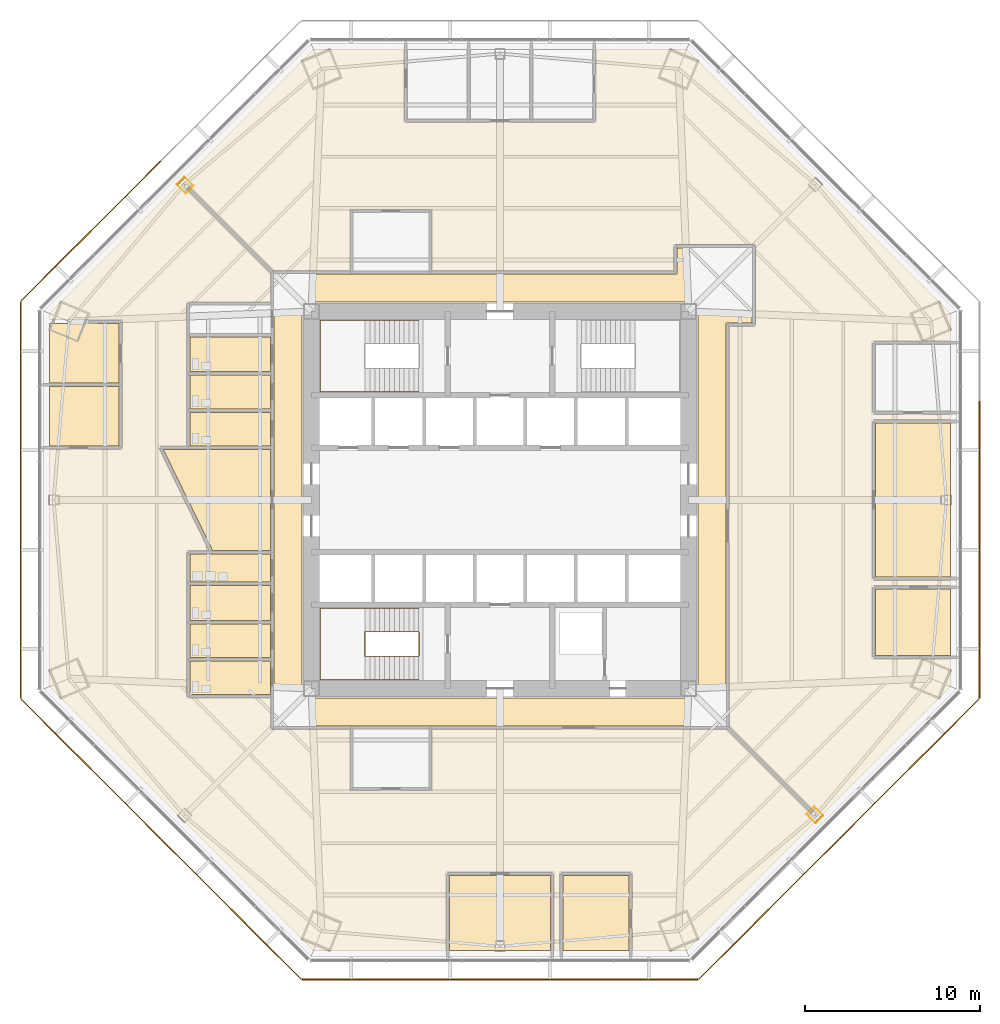
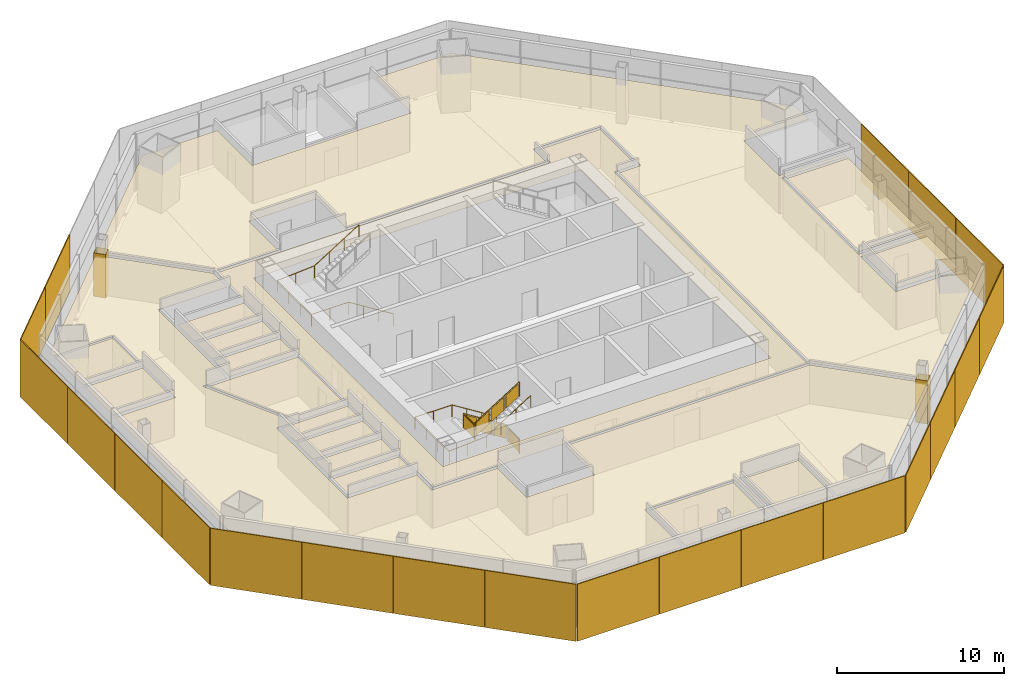
# One storey, part 13 of 15: 21 shading devices, 19 coverings, 3 railings.
"""IFC4 building model written with IfcOpenShell, lengths in metres."""

from ifc_helpers import new_model, si_unit, direction, frame, origin, origin_2d, place, context, subcontext, project, spatial, polyline, rectangle, circle, outline, extrude, source, transform, mapped, material, layer, layer_set, type_object, type_shapes, element, save


model = new_model("IFC4")

# Units and contexts
model_context = context("Model", 3, precision=1e-05, world=origin(), true_north=direction((0.0, 1.0)))
body_context = subcontext(model_context, "Body", "Model", "MODEL_VIEW")
ifc_project = project(units=[si_unit("LENGTHUNIT", "METRE"), si_unit("AREAUNIT", "SQUARE_METRE"), si_unit("VOLUMEUNIT", "CUBIC_METRE"), si_unit("PLANEANGLEUNIT", "RADIAN"), si_unit("MASSUNIT", "GRAM", prefix="KILO")], contexts=[model_context])

# Site, building, storey
site_placement = place(None, origin())
site = spatial("IfcSite", under=ifc_project, at=site_placement, CompositionType="ELEMENT")
building_placement = place(site_placement, origin())
building = spatial("IfcBuilding", under=site, at=building_placement, Name="Mashrafa Tower", CompositionType="ELEMENT")
storey_placement = place(building_placement, frame((0.0, 0.0, 58.199951171875)))
storey = spatial("IfcBuildingStorey", under=building, at=storey_placement, Name="L12", CompositionType="ELEMENT", Elevation=58.199951171875)

# Coverings
ifc_material_1 = material(Name="Gypsum board")
ifc_layer_1 = layer(ifc_material_1, 0.014892578125)
ifc_layer_set_1 = layer_set([ifc_layer_1], Name="Column casing plasterboard 15")
covering_type_1 = type_object("IfcCoveringType", Name="Column casing plasterboard 15", PredefinedType="CLADDING", material=ifc_layer_set_1)
covering_1_placement = place(storey_placement, origin())
element("IfcCovering", 1, at=covering_1_placement, inside=storey, type_object=covering_type_1, Name="Column casing L12-001", PredefinedType="CLADDING", context=body_context, shape_type="SweptSolid", body=[
    extrude(outline(polyline([(-18.525146484375, 18.07958984375), (-18.07958984375, 18.525146484375), (-17.550048828125, 17.995361328125), (-17.995361328125, 17.550048828125), (-18.525146484375, 18.07958984375)]), holes=[polyline([(-17.5712890625, 17.995361328125), (-18.07958984375, 18.50390625), (-18.50390625, 18.07958984375), (-17.995361328125, 17.5712890625), (-17.5712890625, 17.995361328125)])]), origin(), (0.0, 0.0, 1.0), 3.16650390625),
])
covering_2_placement = place(storey_placement, origin())
element("IfcCovering", 2, at=covering_2_placement, inside=storey, type_object=covering_type_1, Name="Column casing L12-002", PredefinedType="CLADDING", context=body_context, shape_type="SweptSolid", body=[
    extrude(outline(polyline([(17.550048828125, -17.995361328125), (17.995361328125, -17.550048828125), (18.525146484375, -18.07958984375), (18.07958984375, -18.525146484375), (17.550048828125, -17.995361328125)]), holes=[polyline([(18.50390625, -18.07958984375), (17.995361328125, -17.5712890625), (17.5712890625, -17.995361328125), (18.07958984375, -18.50390625), (18.50390625, -18.07958984375)])]), origin(), (0.0, 0.0, 1.0), 3.16650390625),
])

# Railings
ifc_material_2 = material(Name="Steel guard with glass infill", Category="steel")
railing_type_1 = type_object("IfcRailingType", Name="Stair guard 1100", PredefinedType="GUARDRAIL", material=ifc_material_2)
railing_1_placement = place(storey_placement, frame((-4.64990234375, -8.949951171875, 0.0)))
element("IfcRailing", 3, at=railing_1_placement, inside=storey, type_object=railing_type_1, Name="Stair S3 guard L12", PredefinedType="GUARDRAIL", context=body_context, shape_type="SweptSolid", body=[
    extrude(circle(Radius=0.02392578125, at=origin_2d()), frame((0.0, 0.0, 1.076171875), z_axis=(0.0, 1.0, 0.0), x_axis=(-1.0, 0.0, 0.0)), (0.0, 0.0, 1.0), 1.39990234375),
    extrude(circle(Radius=0.02392578125, at=origin_2d()), frame((0.0, 1.39990234375, 1.076171875), z_axis=(0.0, 0.0, 1.0), x_axis=(1.0, 0.0, 0.0)), (0.0, 0.0, 1.0), 0.175048828125),
    extrude(circle(Radius=0.02392578125, at=origin_2d()), frame((0.0, 1.39990234375, 1.2509765625), z_axis=(-0.847998304005, 0.0, 0.529998940003), x_axis=(0.0, -1.0, 0.0)), (0.0, 0.0, 1.0), 3.632080078125),
    extrude(circle(Radius=0.02392578125, at=origin_2d()), frame((-3.080078125, 1.39990234375, 3.17626953125), z_axis=(0.0, -1.0, 0.0), x_axis=(1.0, 0.0, 0.0)), (0.0, 0.0, 1.0), 1.39990234375),
    extrude(circle(Radius=0.02392578125, at=origin_2d()), frame((-3.080078125, 0.0, 3.17626953125), z_axis=(0.0, 0.0, 1.0), x_axis=(1.0, 0.0, 0.0)), (0.0, 0.0, 1.0), 0.175048828125),
    extrude(circle(Radius=0.02392578125, at=origin_2d()), frame((-3.080078125, 0.0, 3.35107421875), z_axis=(0.848028513186, 0.0, 0.529950602248), x_axis=(0.0, 1.0, 0.0)), (0.0, 0.0, 1.0), 3.632080078125),
    extrude(circle(Radius=0.02099609375, at=origin_2d()), origin(), (0.0, 0.0, 1.0), 1.052001953125),
    extrude(circle(Radius=0.02099609375, at=origin_2d()), frame((0.0, 1.39990234375, 0.0)), (0.0, 0.0, 1.0), 1.052001953125),
    extrude(circle(Radius=0.02099609375, at=origin_2d()), frame((0.0, 1.39990234375, 0.175048828125)), (0.0, 0.0, 1.0), 1.052001953125),
    extrude(circle(Radius=0.02099609375, at=origin_2d()), frame((-1.026611328125, 1.39990234375, 0.816650390625)), (0.0, 0.0, 1.0), 1.052001953125),
    extrude(circle(Radius=0.02099609375, at=origin_2d()), frame((-2.053466796875, 1.39990234375, 1.45849609375)), (0.0, 0.0, 1.0), 1.052001953125),
    extrude(circle(Radius=0.02099609375, at=origin_2d()), frame((-3.080078125, 1.39990234375, 2.10009765625)), (0.0, 0.0, 1.0), 1.052001953125),
    extrude(circle(Radius=0.02099609375, at=origin_2d()), frame((-3.080078125, 0.0, 2.10009765625)), (0.0, 0.0, 1.0), 1.052001953125),
    extrude(circle(Radius=0.02099609375, at=origin_2d()), frame((-3.080078125, 0.0, 2.275146484375)), (0.0, 0.0, 1.0), 1.052001953125),
    extrude(circle(Radius=0.02099609375, at=origin_2d()), frame((-2.053466796875, 0.0, 2.916748046875)), (0.0, 0.0, 1.0), 1.052001953125),
    extrude(circle(Radius=0.02099609375, at=origin_2d()), frame((-1.026611328125, 0.0, 3.558349609375)), (0.0, 0.0, 1.0), 1.052001953125),
    extrude(circle(Radius=0.02099609375, at=origin_2d()), frame((0.0, 0.0, 4.199951171875)), (0.0, 0.0, 1.0), 1.052001953125),
    extrude(outline(polyline([(0.071044921875, 0.050048828125), (1.328857421875, 0.050048828125), (1.328857421875, 1.001953125), (0.071044921875, 1.001953125), (0.071044921875, 0.050048828125)])), frame((0.006103515625, 0.0, 0.0), z_axis=(1.0, 0.0, 0.0), x_axis=(0.0, 1.0, 0.0)), (0.0, 0.0, 1.0), 0.011962890625),
    extrude(outline(polyline([(0.071044921875, 0.094482421875), (0.955810546875, 0.647216796875), (0.955810546875, 1.599365234375), (0.071044921875, 1.04638671875), (0.071044921875, 0.094482421875)])), frame((0.0, 1.406005859375, 0.175048828125), z_axis=(0.0, 1.0, 0.0), x_axis=(-1.0, 0.0, 0.0)), (0.0, 0.0, 1.0), 0.011962890625),
    extrude(outline(polyline([(1.09765625, 0.736083984375), (1.982421875, 1.2890625), (1.982421875, 2.240966796875), (1.09765625, 1.68798828125), (1.09765625, 0.736083984375)])), frame((0.0, 1.406005859375, 0.175048828125), z_axis=(0.0, 1.0, 0.0), x_axis=(-1.0, 0.0, 0.0)), (0.0, 0.0, 1.0), 0.011962890625),
    extrude(outline(polyline([(2.124267578125, 1.377685546875), (3.009033203125, 1.9306640625), (3.009033203125, 2.882568359375), (2.124267578125, 2.329833984375), (2.124267578125, 1.377685546875)])), frame((0.0, 1.406005859375, 0.175048828125), z_axis=(0.0, 1.0, 0.0), x_axis=(-1.0, 0.0, 0.0)), (0.0, 0.0, 1.0), 0.011962890625),
    extrude(outline(polyline([(0.071044921875, 0.050048828125), (1.328857421875, 0.050048828125), (1.328857421875, 1.001953125), (0.071044921875, 1.001953125), (0.071044921875, 0.050048828125)])), frame((-3.086181640625, 1.39990234375, 2.10009765625), z_axis=(-1.0, 0.0, 0.0), x_axis=(0.0, -1.0, 0.0)), (0.0, 0.0, 1.0), 0.011962890625),
    extrude(outline(polyline([(0.071044921875, 0.094482421875), (0.955810546875, 0.647216796875), (0.955810546875, 1.59912109375), (0.071044921875, 1.04638671875), (0.071044921875, 0.094482421875)])), frame((-3.080078125, -0.006103515625, 2.275146484375), z_axis=(0.0, -1.0, 0.0), x_axis=(1.0, 0.0, 0.0)), (0.0, 0.0, 1.0), 0.011962890625),
    extrude(outline(polyline([(1.09765625, 0.736083984375), (1.982421875, 1.288818359375), (1.982421875, 2.24072265625), (1.09765625, 1.68798828125), (1.09765625, 0.736083984375)])), frame((-3.080078125, -0.006103515625, 2.275146484375), z_axis=(0.0, -1.0, 0.0), x_axis=(1.0, 0.0, 0.0)), (0.0, 0.0, 1.0), 0.011962890625),
    extrude(outline(polyline([(2.124267578125, 1.377685546875), (3.009033203125, 1.930419921875), (3.009033203125, 2.88232421875), (2.124267578125, 2.32958984375), (2.124267578125, 1.377685546875)])), frame((-3.080078125, -0.006103515625, 2.275146484375), z_axis=(0.0, -1.0, 0.0), x_axis=(1.0, 0.0, 0.0)), (0.0, 0.0, 1.0), 0.011962890625),
])
ifc_material_3 = material(Name="Steel", Category="steel")
railing_type_2 = type_object("IfcRailingType", Name="Stair handrail 900", PredefinedType="HANDRAIL", material=ifc_material_3)
railing_2_placement = place(storey_placement, frame((-4.64990234375, 6.199951171875, 0.175048828125)))
element("IfcRailing", 4, at=railing_2_placement, inside=storey, type_object=railing_type_2, Name="Stair S1 handrail L12", PredefinedType="HANDRAIL", context=body_context, shape_type="SweptSolid", body=[
    extrude(circle(Radius=0.02392578125, at=origin_2d()), frame((0.0, 0.0, 0.8759765625), z_axis=(-0.847998304005, 0.0, 0.529998940003), x_axis=(0.0, -1.0, 0.0)), (0.0, 0.0, 1.0), 3.632080078125),
    extrude(circle(Radius=0.02392578125, at=origin_2d()), frame((-3.080078125, 0.0, 2.80078125), z_axis=(-1.0, 0.0, 0.0), x_axis=(0.0, -1.0, 0.0)), (0.0, 0.0, 1.0), 2.570068359375),
    extrude(circle(Radius=0.02392578125, at=origin_2d()), frame((-5.650146484375, 0.0, 2.80078125), z_axis=(0.0, 1.0, 0.0), x_axis=(-1.0, 0.0, 0.0)), (0.0, 0.0, 1.0), 4.10009765625),
    extrude(circle(Radius=0.02392578125, at=origin_2d()), frame((-5.650146484375, 4.10009765625, 2.80078125), z_axis=(0.997688514158, 0.0, 0.067953136188), x_axis=(0.0, 1.0, 0.0)), (0.0, 0.0, 1.0), 2.575927734375),
    extrude(circle(Radius=0.02392578125, at=origin_2d()), frame((-3.080078125, 4.10009765625, 2.97607421875), z_axis=(0.848028513186, 0.0, 0.529950602248), x_axis=(0.0, 1.0, 0.0)), (0.0, 0.0, 1.0), 3.632080078125),
    extrude(circle(Radius=0.02099609375, at=origin_2d()), origin(), (0.0, 0.0, 1.0), 0.851806640625),
    extrude(circle(Radius=0.02099609375, at=origin_2d()), frame((-1.026611328125, 0.0, 0.6416015625)), (0.0, 0.0, 1.0), 0.851806640625),
    extrude(circle(Radius=0.02099609375, at=origin_2d()), frame((-2.053466796875, 0.0, 1.283447265625)), (0.0, 0.0, 1.0), 0.851806640625),
    extrude(circle(Radius=0.02099609375, at=origin_2d()), frame((-3.080078125, 0.0, 1.925048828125)), (0.0, 0.0, 1.0), 0.851806640625),
    extrude(circle(Radius=0.02099609375, at=origin_2d()), frame((-4.365234375, 0.0, 1.925048828125)), (0.0, 0.0, 1.0), 0.851806640625),
    extrude(circle(Radius=0.02099609375, at=origin_2d()), frame((-5.650146484375, 0.0, 1.925048828125)), (0.0, 0.0, 1.0), 0.851806640625),
    extrude(circle(Radius=0.02099609375, at=origin_2d()), frame((-5.650146484375, 1.36669921875, 1.925048828125)), (0.0, 0.0, 1.0), 0.851806640625),
    extrude(circle(Radius=0.02099609375, at=origin_2d()), frame((-5.650146484375, 2.7333984375, 1.925048828125)), (0.0, 0.0, 1.0), 0.851806640625),
    extrude(circle(Radius=0.02099609375, at=origin_2d()), frame((-5.650146484375, 4.10009765625, 1.925048828125)), (0.0, 0.0, 1.0), 0.851806640625),
    extrude(circle(Radius=0.02099609375, at=origin_2d()), frame((-4.365234375, 4.10009765625, 2.0126953125)), (0.0, 0.0, 1.0), 0.851806640625),
    extrude(circle(Radius=0.02099609375, at=origin_2d()), frame((-3.080078125, 4.10009765625, 2.10009765625)), (0.0, 0.0, 1.0), 0.851806640625),
    extrude(circle(Radius=0.02099609375, at=origin_2d()), frame((-2.053466796875, 4.10009765625, 2.74169921875)), (0.0, 0.0, 1.0), 0.851806640625),
    extrude(circle(Radius=0.02099609375, at=origin_2d()), frame((-1.026611328125, 4.10009765625, 3.38330078125)), (0.0, 0.0, 1.0), 0.851806640625),
    extrude(circle(Radius=0.02099609375, at=origin_2d()), frame((0.0, 4.10009765625, 4.02490234375)), (0.0, 0.0, 1.0), 0.851806640625),
])
railing_3_placement = place(storey_placement, frame((-4.64990234375, -6.199951171875, 0.175048828125)))
element("IfcRailing", 5, at=railing_3_placement, inside=storey, type_object=railing_type_2, Name="Stair S3 handrail L12", PredefinedType="HANDRAIL", context=body_context, shape_type="SweptSolid", body=[
    extrude(circle(Radius=0.02392578125, at=origin_2d()), frame((0.0, 0.0, 0.8759765625), z_axis=(-0.847998304005, 0.0, 0.529998940003), x_axis=(0.0, -1.0, 0.0)), (0.0, 0.0, 1.0), 3.632080078125),
    extrude(circle(Radius=0.02392578125, at=origin_2d()), frame((-3.080078125, 0.0, 2.80078125), z_axis=(-1.0, 0.0, 0.0), x_axis=(0.0, -1.0, 0.0)), (0.0, 0.0, 1.0), 2.570068359375),
    extrude(circle(Radius=0.02392578125, at=origin_2d()), frame((-5.650146484375, 0.0, 2.80078125), z_axis=(0.0, -1.0, 0.0), x_axis=(1.0, 0.0, 0.0)), (0.0, 0.0, 1.0), 4.10009765625),
    extrude(circle(Radius=0.02392578125, at=origin_2d()), frame((-5.650146484375, -4.10009765625, 2.80078125), z_axis=(0.997688514158, 0.0, 0.067953136188), x_axis=(0.0, 1.0, 0.0)), (0.0, 0.0, 1.0), 2.575927734375),
    extrude(circle(Radius=0.02392578125, at=origin_2d()), frame((-3.080078125, -4.10009765625, 2.97607421875), z_axis=(0.848028513186, 0.0, 0.529950602248), x_axis=(0.0, 1.0, 0.0)), (0.0, 0.0, 1.0), 3.632080078125),
    extrude(circle(Radius=0.02099609375, at=origin_2d()), origin(), (0.0, 0.0, 1.0), 0.851806640625),
    extrude(circle(Radius=0.02099609375, at=origin_2d()), frame((-1.026611328125, 0.0, 0.6416015625)), (0.0, 0.0, 1.0), 0.851806640625),
    extrude(circle(Radius=0.02099609375, at=origin_2d()), frame((-2.053466796875, 0.0, 1.283447265625)), (0.0, 0.0, 1.0), 0.851806640625),
    extrude(circle(Radius=0.02099609375, at=origin_2d()), frame((-3.080078125, 0.0, 1.925048828125)), (0.0, 0.0, 1.0), 0.851806640625),
    extrude(circle(Radius=0.02099609375, at=origin_2d()), frame((-4.365234375, 0.0, 1.925048828125)), (0.0, 0.0, 1.0), 0.851806640625),
    extrude(circle(Radius=0.02099609375, at=origin_2d()), frame((-5.650146484375, 0.0, 1.925048828125)), (0.0, 0.0, 1.0), 0.851806640625),
    extrude(circle(Radius=0.02099609375, at=origin_2d()), frame((-5.650146484375, -1.36669921875, 1.925048828125)), (0.0, 0.0, 1.0), 0.851806640625),
    extrude(circle(Radius=0.02099609375, at=origin_2d()), frame((-5.650146484375, -2.7333984375, 1.925048828125)), (0.0, 0.0, 1.0), 0.851806640625),
    extrude(circle(Radius=0.02099609375, at=origin_2d()), frame((-5.650146484375, -4.10009765625, 1.925048828125)), (0.0, 0.0, 1.0), 0.851806640625),
    extrude(circle(Radius=0.02099609375, at=origin_2d()), frame((-4.365234375, -4.10009765625, 2.0126953125)), (0.0, 0.0, 1.0), 0.851806640625),
    extrude(circle(Radius=0.02099609375, at=origin_2d()), frame((-3.080078125, -4.10009765625, 2.10009765625)), (0.0, 0.0, 1.0), 0.851806640625),
    extrude(circle(Radius=0.02099609375, at=origin_2d()), frame((-2.053466796875, -4.10009765625, 2.74169921875)), (0.0, 0.0, 1.0), 0.851806640625),
    extrude(circle(Radius=0.02099609375, at=origin_2d()), frame((-1.026611328125, -4.10009765625, 3.38330078125)), (0.0, 0.0, 1.0), 0.851806640625),
    extrude(circle(Radius=0.02099609375, at=origin_2d()), frame((0.0, -4.10009765625, 4.02490234375)), (0.0, 0.0, 1.0), 0.851806640625),
])

# Coverings
ifc_material_4 = material(Name="Mineral fibre tile on suspension grid")
ifc_layer_2 = layer(ifc_material_4, 0.014892578125)
ifc_layer_set_2 = layer_set([ifc_layer_2], Name="Suspended ceiling mineral tile 15")
covering_type_2 = type_object("IfcCoveringType", Name="Suspended ceiling mineral tile 15", PredefinedType="CEILING", material=ifc_layer_set_2)
covering_3_placement = place(storey_placement, frame((0.0, 0.0, 2.85009765625)))
element("IfcCovering", 6, at=covering_3_placement, inside=storey, type_object=covering_type_2, Name="Ceiling Office Corridor L12", PredefinedType="CEILING", context=body_context, shape_type="SweptSolid", body=[
    extrude(outline(polyline([(-12.949951171875, -12.949951171875), (-12.949951171875, 12.949951171875), (10.14990234375, 12.949951171875), (10.14990234375, 14.449951171875), (14.449951171875, 14.449951171875), (14.449951171875, 10.14990234375), (12.949951171875, 10.14990234375), (12.949951171875, -12.949951171875), (-12.949951171875, -12.949951171875)]), holes=[polyline([(11.35009765625, 11.35009765625), (-11.35009765625, 11.35009765625), (-11.35009765625, -11.35009765625), (11.35009765625, -11.35009765625), (11.35009765625, 11.35009765625)])]), origin(), (0.0, 0.0, 1.0), 0.014892578125),
])
covering_4_placement = place(storey_placement, frame((0.0, 0.0, 2.900146484375)))
element("IfcCovering", 7, at=covering_4_placement, inside=storey, type_object=covering_type_2, Name="Ceiling WC Female L12 N", PredefinedType="CEILING", context=body_context, shape_type="SweptSolid", body=[
    extrude(outline(polyline([(-17.75, 3.10009765625), (-17.75, 5.02490234375), (-13.14990234375, 5.02490234375), (-13.14990234375, 3.10009765625), (-17.75, 3.10009765625)])), origin(), (0.0, 0.0, 1.0), 0.014892578125),
])
covering_5_placement = place(storey_placement, frame((0.0, 0.0, 2.900146484375)))
element("IfcCovering", 8, at=covering_5_placement, inside=storey, type_object=covering_type_2, Name="Ceiling WC Male L12 N", PredefinedType="CEILING", context=body_context, shape_type="SweptSolid", body=[
    extrude(outline(polyline([(-17.75, 5.22509765625), (-17.75, 7.14990234375), (-13.14990234375, 7.14990234375), (-13.14990234375, 5.22509765625), (-17.75, 5.22509765625)])), origin(), (0.0, 0.0, 1.0), 0.014892578125),
])
covering_6_placement = place(storey_placement, frame((0.0, 0.0, 2.900146484375)))
element("IfcCovering", 9, at=covering_6_placement, inside=storey, type_object=covering_type_2, Name="Ceiling Accessible WC L12 N", PredefinedType="CEILING", context=body_context, shape_type="SweptSolid", body=[
    extrude(outline(polyline([(-17.75, 7.35009765625), (-17.75, 9.35009765625), (-13.14990234375, 9.35009765625), (-13.14990234375, 7.35009765625), (-17.75, 7.35009765625)])), origin(), (0.0, 0.0, 1.0), 0.014892578125),
])
covering_7_placement = place(storey_placement, frame((0.0, 0.0, 2.900146484375)))
element("IfcCovering", 10, at=covering_7_placement, inside=storey, type_object=covering_type_2, Name="Ceiling WC Female L12 S", PredefinedType="CEILING", context=body_context, shape_type="SweptSolid", body=[
    extrude(outline(polyline([(-17.75, -11.14990234375), (-17.75, -9.22509765625), (-13.14990234375, -9.22509765625), (-13.14990234375, -11.14990234375), (-17.75, -11.14990234375)])), origin(), (0.0, 0.0, 1.0), 0.014892578125),
])
covering_8_placement = place(storey_placement, frame((0.0, 0.0, 2.900146484375)))
element("IfcCovering", 11, at=covering_8_placement, inside=storey, type_object=covering_type_2, Name="Ceiling WC Male L12 S", PredefinedType="CEILING", context=body_context, shape_type="SweptSolid", body=[
    extrude(outline(polyline([(-17.75, -9.02490234375), (-17.75, -7.10009765625), (-13.14990234375, -7.10009765625), (-13.14990234375, -9.02490234375), (-17.75, -9.02490234375)])), origin(), (0.0, 0.0, 1.0), 0.014892578125),
])
covering_9_placement = place(storey_placement, frame((0.0, 0.0, 2.900146484375)))
element("IfcCovering", 12, at=covering_9_placement, inside=storey, type_object=covering_type_2, Name="Ceiling Accessible WC L12 S", PredefinedType="CEILING", context=body_context, shape_type="SweptSolid", body=[
    extrude(outline(polyline([(-17.75, -6.89990234375), (-17.75, -4.89990234375), (-13.14990234375, -4.89990234375), (-13.14990234375, -6.89990234375), (-17.75, -6.89990234375)])), origin(), (0.0, 0.0, 1.0), 0.014892578125),
])
covering_10_placement = place(storey_placement, frame((0.0, 0.0, 2.900146484375)))
element("IfcCovering", 13, at=covering_10_placement, inside=storey, type_object=covering_type_2, Name="Ceiling Ablution Room L12 S", PredefinedType="CEILING", context=body_context, shape_type="SweptSolid", body=[
    extrude(outline(polyline([(-17.75, -4.699951171875), (-17.75, -3.10009765625), (-13.14990234375, -3.10009765625), (-13.14990234375, -4.699951171875), (-17.75, -4.699951171875)])), origin(), (0.0, 0.0, 1.0), 0.014892578125),
])
covering_11_placement = place(storey_placement, frame((0.0, 0.0, 2.85009765625)))
element("IfcCovering", 14, at=covering_11_placement, inside=storey, type_object=covering_type_2, Name="Ceiling Musallah Prayer Room 12", PredefinedType="CEILING", context=body_context, shape_type="SweptSolid", body=[
    extrude(outline(polyline([(-16.461181640625, -2.89990234375), (-19.2900390625, 2.89990234375), (-13.14990234375, 2.89990234375), (-13.14990234375, -2.89990234375), (-16.461181640625, -2.89990234375)])), origin(), (0.0, 0.0, 1.0), 0.014892578125),
])
covering_12_placement = place(storey_placement, frame((0.0, 0.0, 2.85009765625)))
element("IfcCovering", 15, at=covering_12_placement, inside=storey, type_object=covering_type_2, Name="Ceiling Meeting Room 12-A", PredefinedType="CEILING", context=body_context, shape_type="SweptSolid", body=[
    extrude(outline(polyline([(21.518310546875, 4.39990234375), (25.818359375, 4.39990234375), (25.818359375, -4.39990234375), (21.518310546875, -4.39990234375), (21.518310546875, 4.39990234375)])), origin(), (0.0, 0.0, 1.0), 0.014892578125),
])
covering_13_placement = place(storey_placement, frame((0.0, 0.0, 2.85009765625)))
element("IfcCovering", 16, at=covering_13_placement, inside=storey, type_object=covering_type_2, Name="Ceiling Meeting Room 12-B", PredefinedType="CEILING", context=body_context, shape_type="SweptSolid", body=[
    extrude(outline(polyline([(-2.89990234375, -21.518310546875), (2.89990234375, -21.518310546875), (2.89990234375, -25.818359375), (-2.89990234375, -25.818359375), (-2.89990234375, -21.518310546875)])), origin(), (0.0, 0.0, 1.0), 0.014892578125),
])
covering_14_placement = place(storey_placement, frame((0.0, 0.0, 2.900146484375)))
element("IfcCovering", 17, at=covering_14_placement, inside=storey, type_object=covering_type_2, Name="Ceiling Office 12-B-1", PredefinedType="CEILING", context=body_context, shape_type="SweptSolid", body=[
    extrude(outline(polyline([(-21.818359375, 10.10205078125), (-21.818359375, 6.701904296875), (-25.818359375, 6.701904296875), (-25.818359375, 10.10205078125), (-21.818359375, 10.10205078125)])), origin(), (0.0, 0.0, 1.0), 0.014892578125),
])
covering_15_placement = place(storey_placement, frame((0.0, 0.0, 2.900146484375)))
element("IfcCovering", 18, at=covering_15_placement, inside=storey, type_object=covering_type_2, Name="Ceiling Office 12-B-2", PredefinedType="CEILING", context=body_context, shape_type="SweptSolid", body=[
    extrude(outline(polyline([(-21.818359375, 6.501953125), (-21.818359375, 3.10205078125), (-25.818359375, 3.10205078125), (-25.818359375, 6.501953125), (-21.818359375, 6.501953125)])), origin(), (0.0, 0.0, 1.0), 0.014892578125),
])
covering_16_placement = place(storey_placement, frame((0.0, 0.0, 2.900146484375)))
element("IfcCovering", 19, at=covering_16_placement, inside=storey, type_object=covering_type_2, Name="Ceiling Project Meeting Room 12-A2", PredefinedType="CEILING", context=body_context, shape_type="SweptSolid", body=[
    extrude(outline(polyline([(21.518310546875, -5.10009765625), (25.818359375, -5.10009765625), (25.818359375, -8.89990234375), (21.518310546875, -8.89990234375), (21.518310546875, -5.10009765625)])), origin(), (0.0, 0.0, 1.0), 0.014892578125),
])
covering_17_placement = place(storey_placement, frame((0.0, 0.0, 2.900146484375)))
element("IfcCovering", 20, at=covering_17_placement, inside=storey, type_object=covering_type_2, Name="Ceiling Interview Room 12-B", PredefinedType="CEILING", context=body_context, shape_type="SweptSolid", body=[
    extrude(outline(polyline([(3.60009765625, -21.518310546875), (7.39990234375, -21.518310546875), (7.39990234375, -25.818359375), (3.60009765625, -25.818359375), (3.60009765625, -21.518310546875)])), origin(), (0.0, 0.0, 1.0), 0.014892578125),
])
covering_18_placement = place(storey_placement, frame((0.0, 0.0, 2.85009765625)))
element("IfcCovering", 21, at=covering_18_placement, inside=storey, type_object=covering_type_2, Name="Ceiling Office Tenancy 12-A", PredefinedType="CEILING", context=body_context, shape_type="SweptSolid", body=[
    extrude(outline(polyline([(-13.008544921875, 13.14990234375), (-18.185546875, 18.326904296875), (-10.6943359375, 25.818359375), (-5.5, 25.818359375), (-5.5, 21.618408203125), (5.5, 21.618408203125), (5.5, 25.818359375), (10.6943359375, 25.818359375), (25.818359375, 10.6943359375), (25.818359375, 9.10009765625), (21.318359375, 9.10009765625), (21.318359375, 4.89990234375), (25.818359375, 4.89990234375), (25.818359375, 4.60009765625), (21.318359375, 4.60009765625), (21.318359375, -4.60009765625), (25.818359375, -4.60009765625), (25.818359375, -4.89990234375), (21.318359375, -4.89990234375), (21.318359375, -9.10009765625), (25.818359375, -9.10009765625), (25.818359375, -10.6943359375), (18.326904296875, -18.185546875), (13.14990234375, -13.008544921875), (13.14990234375, 9.949951171875), (14.64990234375, 9.949951171875), (14.64990234375, 14.64990234375), (9.949951171875, 14.64990234375), (9.949951171875, 13.14990234375), (-3.89990234375, 13.14990234375), (-3.89990234375, 16.64990234375), (-8.60009765625, 16.64990234375), (-8.60009765625, 13.14990234375), (-13.008544921875, 13.14990234375)])), origin(), (0.0, 0.0, 1.0), 0.014892578125),
])
covering_19_placement = place(storey_placement, frame((0.0, 0.0, 2.85009765625)))
element("IfcCovering", 22, at=covering_19_placement, inside=storey, type_object=covering_type_2, Name="Ceiling Office Tenancy 12-B", PredefinedType="CEILING", context=body_context, shape_type="SweptSolid", body=[
    extrude(outline(polyline([(13.008544921875, -13.14990234375), (18.185546875, -18.326904296875), (10.6943359375, -25.818359375), (7.60009765625, -25.818359375), (7.60009765625, -21.318359375), (3.39990234375, -21.318359375), (3.39990234375, -25.818359375), (3.10009765625, -25.818359375), (3.10009765625, -21.318359375), (-3.10009765625, -21.318359375), (-3.10009765625, -25.818359375), (-10.6943359375, -25.818359375), (-25.818359375, -10.6943359375), (-25.818359375, 2.902099609375), (-21.618408203125, 2.902099609375), (-21.618408203125, 10.302001953125), (-25.818359375, 10.302001953125), (-25.818359375, 10.6943359375), (-18.326904296875, 18.185546875), (-13.14990234375, 13.008544921875), (-13.14990234375, 11.35009765625), (-17.949951171875, 11.35009765625), (-17.949951171875, 3.10009765625), (-19.610107421875, 3.10009765625), (-16.68359375, -2.89990234375), (-17.949951171875, -2.89990234375), (-17.949951171875, -11.35009765625), (-13.14990234375, -11.35009765625), (-13.14990234375, -13.14990234375), (-8.60009765625, -13.14990234375), (-8.60009765625, -16.64990234375), (-3.89990234375, -16.64990234375), (-3.89990234375, -13.14990234375), (13.008544921875, -13.14990234375)])), origin(), (0.0, 0.0, 1.0), 0.014892578125),
])

# Shading devices
ifc_material_5 = material(Name="Perforated aluminium plate, eight-point star pattern", Category="aluminium")
ifc_layer_3 = layer(ifc_material_5, 0.06005859375)
ifc_layer_set_3 = layer_set([ifc_layer_3], Name="Mashrabiya screen panel office zone 1, 45 percent open")
shading_device_type = type_object("IfcShadingDeviceType", Name="Mashrabiya screen panel office zone 1, 45 percent open", PredefinedType="SHUTTER", material=ifc_layer_set_3)
shared_shape = source(origin(), body_context, "Body", "SweptSolid", [
    extrude(rectangle(XDim=5.65771484375, YDim=0.06005859375, at=origin_2d()), origin(), (0.0, 0.0, 1.0), 4.179931640625),
])
type_shapes(shading_device_type, [shared_shape])
for number, where, z_axis, x_axis, name in (
    (23, (27.46826171875, -8.5166015625, -0.14990234375), (0.0, 0.0, 1.0), (0.0, 1.0, 0.0), "Mashrabiya screen L12 east 1"),
    (24, (27.46826171875, -2.8388671875, -0.14990234375), (0.0, 0.0, 1.0), (0.0, 1.0, 0.0), "Mashrabiya screen L12 east 2"),
    (25, (27.46826171875, 2.8388671875, -0.14990234375), (0.0, 0.0, 1.0), (0.0, 1.0, 0.0), "Mashrabiya screen L12 east 3"),
    (26, (-21.430419921875, 17.415771484375, -0.14990234375), (0.0, 0.0, 1.0), (-0.707106781187, -0.707106781187, 0.0), "Mashrabiya screen L12 north-west 3"),
    (27, (-25.445068359375, 13.40087890625, -0.14990234375), (0.0, 0.0, 1.0), (-0.707106781187, -0.707106781187, 0.0), "Mashrabiya screen L12 north-west 4"),
    (28, (-27.46826171875, 8.5166015625, -0.14990234375), (0.0, 0.0, 1.0), (0.0, -1.0, 0.0), "Mashrabiya screen L12 west 1"),
    (29, (-27.46826171875, 2.8388671875, -0.14990234375), (0.0, 0.0, 1.0), (0.0, -1.0, 0.0), "Mashrabiya screen L12 west 2"),
    (30, (-27.46826171875, -2.8388671875, -0.14990234375), (0.0, 0.0, 1.0), (0.0, -1.0, 0.0), "Mashrabiya screen L12 west 3"),
    (31, (-27.46826171875, -8.5166015625, -0.14990234375), (0.0, 0.0, 1.0), (0.0, -1.0, 0.0), "Mashrabiya screen L12 west 4"),
    (32, (-25.445068359375, -13.40087890625, -0.14990234375), (0.0, 0.0, 1.0), (0.707106781187, -0.707106781187, 0.0), "Mashrabiya screen L12 south-west 1"),
    (33, (-21.430419921875, -17.415771484375, -0.14990234375), (0.0, 0.0, 1.0), (0.707106781187, -0.707106781187, 0.0), "Mashrabiya screen L12 south-west 2"),
    (34, (-17.415771484375, -21.430419921875, -0.14990234375), (0.0, 0.0, 1.0), (0.707106781187, -0.707106781187, 0.0), "Mashrabiya screen L12 south-west 3"),
    (35, (-13.40087890625, -25.445068359375, -0.14990234375), (0.0, 0.0, 1.0), (0.707106781187, -0.707106781187, 0.0), "Mashrabiya screen L12 south-west 4"),
    (36, (-8.5166015625, -27.46826171875, -0.14990234375), (0.0, 0.0, 1.0), (1.0, 0.0, 0.0), "Mashrabiya screen L12 south 1"),
    (37, (-2.8388671875, -27.46826171875, -0.14990234375), (0.0, 0.0, 1.0), (1.0, 0.0, 0.0), "Mashrabiya screen L12 south 2"),
    (38, (2.8388671875, -27.46826171875, -0.14990234375), (0.0, 0.0, 1.0), (1.0, 0.0, 0.0), "Mashrabiya screen L12 south 3"),
    (39, (8.5166015625, -27.46826171875, -0.14990234375), (0.0, 0.0, 1.0), (1.0, 0.0, 0.0), "Mashrabiya screen L12 south 4"),
    (40, (13.40087890625, -25.445068359375, -0.14990234375), (0.0, 0.0, 1.0), (0.707106781187, 0.707106781187, 0.0), "Mashrabiya screen L12 south-east 1"),
    (41, (17.415771484375, -21.430419921875, -0.14990234375), (0.0, 0.0, 1.0), (0.707106781187, 0.707106781187, 0.0), "Mashrabiya screen L12 south-east 2"),
    (42, (21.430419921875, -17.415771484375, -0.14990234375), (0.0, 0.0, 1.0), (0.707106781187, 0.707106781187, 0.0), "Mashrabiya screen L12 south-east 3"),
    (43, (25.445068359375, -13.40087890625, -0.14990234375), (0.0, 0.0, 1.0), (0.707106781187, 0.707106781187, 0.0), "Mashrabiya screen L12 south-east 4"),
):
    element("IfcShadingDevice", number, at=place(storey_placement, frame(where, z_axis=z_axis, x_axis=x_axis)), inside=storey, type_object=shading_device_type, Name=name, PredefinedType="SHUTTER", context=body_context, shape_type="MappedRepresentation", body=[
        mapped(shared_shape, transform((0.0, 0.0, 0.0))),
    ])

save(model, "model.ifc")
